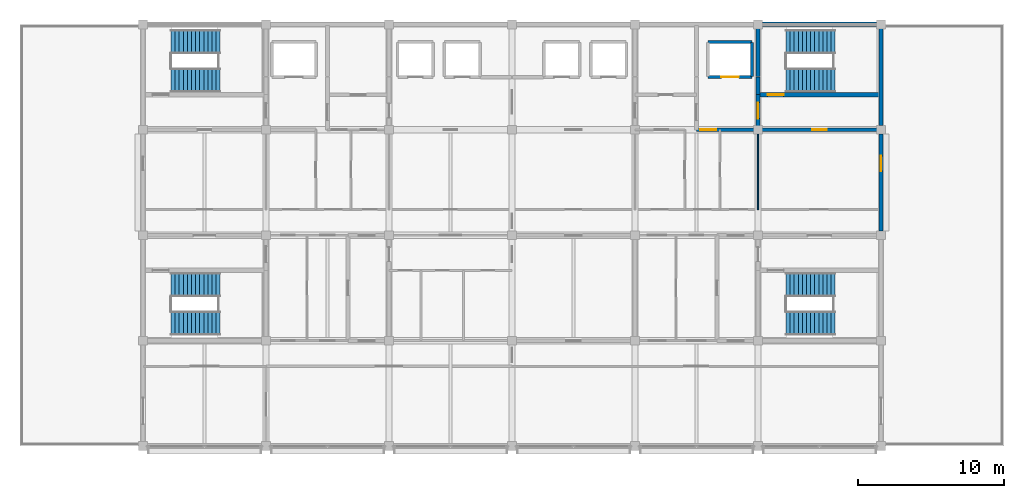
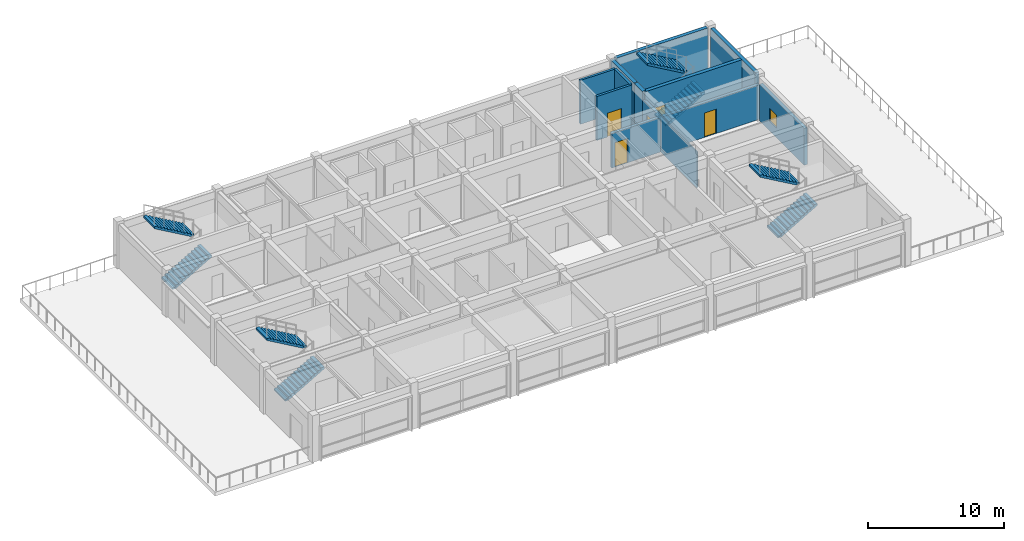
# One storey, part 11 of 13: 12 walls, 8 stair flights, 5 doors, 1 window, 6 openings, 4 elements without a shape of their own.
"""IFC4 building model written with IfcOpenShell, lengths in metres."""

from ifc_helpers import new_model, si_unit, direction, frame, frame_2d, origin, place, context, subcontext, project, spatial, polyline, rectangle, outline, extrude, material, layer, layer_set, type_object, element, fill, aggregate, save


model = new_model("IFC4")

# Units and contexts
model_context = context("Model", 3, precision=1e-05, world=origin(), true_north=direction((0.0, 1.0)))
body_context = subcontext(model_context, "Body", "Model", "MODEL_VIEW")
ifc_project = project(units=[si_unit("LENGTHUNIT", "METRE"), si_unit("AREAUNIT", "SQUARE_METRE"), si_unit("VOLUMEUNIT", "CUBIC_METRE"), si_unit("PLANEANGLEUNIT", "RADIAN"), si_unit("MASSUNIT", "GRAM", prefix="KILO")], contexts=[model_context])

# Site, building, storey
site_placement = place(None, origin())
site = spatial("IfcSite", under=ifc_project, at=site_placement, CompositionType="ELEMENT")
building_placement = place(site_placement, origin())
building = spatial("IfcBuilding", under=site, at=building_placement, Name="Chengyuan Square Courthouse", CompositionType="ELEMENT")
storey_placement = place(building_placement, frame((0.0, 0.0, 60.300048828125)))
storey = spatial("IfcBuildingStorey", under=building, at=storey_placement, Name="L14", CompositionType="ELEMENT", Elevation=60.300048828125)

# Wall, opening, window
ifc_material_1 = material(Name="Concrete C40", Category="concrete")
ifc_layer_1 = layer(ifc_material_1, 0.280029296875)
ifc_layer_set_1 = layer_set([ifc_layer_1], Name="Concrete C40")
wall_type_1 = type_object("IfcWallType", Name="WL-EW4", PredefinedType="STANDARD", material=ifc_layer_set_1)
wall_1_placement = place(storey_placement, frame((109.199951171875, 93.89501953125, 0.0), z_axis=(0.0, 0.0, 1.0), x_axis=(0.0, 1.0, 0.0)))
wall_1 = element("IfcWall", 1, at=wall_1_placement, inside=storey, type_object=wall_type_1, Name="Exterior Wall WL-L14-E519", PredefinedType="STANDARD", context=body_context, shape_type="SweptSolid", body=[
    extrude(rectangle(XDim=6.60986328125, YDim=0.280029296875, at=frame_2d((3.304931640625, 0.0))), origin(), (0.0, 0.0, 1.0), 3.31005859375),
])
opening_1_placement = place(wall_1_placement, frame((4.080078125, 0.0, 0.85009765625)))
opening_1 = element("IfcOpeningElement", 2, at=opening_1_placement, cuts=wall_1, Name="Opening WN-241", PredefinedType="OPENING", context=body_context, shape_type="SweptSolid", body=[
    extrude(rectangle(XDim=1.050048828125, YDim=1.199951171875, at=frame_2d((0.52490234375, 0.60009765625))), frame((0.0, 0.152099609375, 0.0), z_axis=(0.0, -1.0, 0.0), x_axis=(1.0, 0.0, 0.0)), (0.0, 0.0, 1.0), 0.303955078125),
])
ifc_material_2 = material(Name="Thermally Broken Aluminium Triple Low-E Window", Category="aluminium")
window_type = type_object("IfcWindowType", Name="WT-07", PartitioningType="SINGLE_PANEL", PredefinedType="WINDOW", material=ifc_material_2)
window_placement = place(opening_1_placement, origin())
window = element("IfcWindow", 3, at=window_placement, inside=storey, type_object=window_type, Name="Facade Window WN-241", OverallHeight=1.199951171875, OverallWidth=1.050048828125, PartitioningType="SINGLE_PANEL", PredefinedType="WINDOW", context=body_context, shape_type="SweptSolid", body=[
    extrude(rectangle(XDim=1.050048828125, YDim=1.199951171875, at=frame_2d((0.52490234375, 0.60009765625))), frame((0.0, 0.030029296875, 0.0), z_axis=(0.0, -1.0, 0.0), x_axis=(1.0, 0.0, 0.0)), (0.0, 0.0, 1.0), 0.06005859375),
])
fill(opening_1, window)

# Wall, openings, doors
ifc_layer_2 = layer(ifc_material_1, 0.25)
ifc_layer_set_2 = layer_set([ifc_layer_2], Name="Concrete C40")
wall_type_2 = type_object("IfcWallType", Name="WL-FW1", PredefinedType="STANDARD", material=ifc_layer_set_2)
wall_2_placement = place(storey_placement, frame((96.60009765625, 100.800048828125, 0.0), z_axis=(0.0, 0.0, 1.0), x_axis=(1.0, 0.0, 0.0)))
wall_2 = element("IfcWall", 4, at=wall_2_placement, inside=storey, type_object=wall_type_2, Name="Interior Wall WL-L14-I3925", PredefinedType="STANDARD", context=body_context, shape_type="SweptSolid", body=[
    extrude(rectangle(XDim=12.559814453125, YDim=0.25, at=frame_2d((6.27978515625, 0.0))), origin(), (0.0, 0.0, 1.0), 3.10986328125),
])
opening_2_placement = place(wall_2_placement, frame((7.89990234375, 0.0, 0.0)))
opening_2 = element("IfcOpeningElement", 5, at=opening_2_placement, cuts=wall_2, Name="Opening DR-3239", PredefinedType="OPENING", context=body_context, shape_type="SweptSolid", body=[
    extrude(rectangle(XDim=1.0, YDim=2.199951171875, at=frame_2d((0.5, 1.10009765625))), frame((0.0, 0.136962890625, 0.0), z_axis=(0.0, -1.0, 0.0), x_axis=(1.0, 0.0, 0.0)), (0.0, 0.0, 1.0), 0.27392578125),
])
opening_3_placement = place(wall_2_placement, frame((0.25, 0.0, 0.0)))
opening_3 = element("IfcOpeningElement", 6, at=opening_3_placement, cuts=wall_2, Name="Opening DR-3253", PredefinedType="OPENING", context=body_context, shape_type="SweptSolid", body=[
    extrude(rectangle(XDim=1.10009765625, YDim=2.199951171875, at=frame_2d((0.550048828125, 1.10009765625))), frame((0.0, 0.136962890625, 0.0), z_axis=(0.0, -1.0, 0.0), x_axis=(1.0, 0.0, 0.0)), (0.0, 0.0, 1.0), 0.27392578125),
])
ifc_material_3 = material(Name="Steel Q235B Fire Door", Category="steel")
door_type_1 = type_object("IfcDoorType", Name="DT-10", OperationType="NOTDEFINED", PredefinedType="DOOR", material=ifc_material_3)
door_1_placement = place(opening_3_placement, origin())
door_1 = element("IfcDoor", 7, at=door_1_placement, inside=storey, type_object=door_type_1, Name="Interior Door DR-3253", OperationType="SINGLE_SWING_RIGHT", OverallHeight=2.199951171875, OverallWidth=1.10009765625, PredefinedType="DOOR", context=body_context, shape_type="SweptSolid", body=[
    extrude(rectangle(XDim=1.10009765625, YDim=2.199951171875, at=frame_2d((0.550048828125, 1.10009765625))), frame((0.0, 0.02490234375, 0.0), z_axis=(0.0, -1.0, 0.0), x_axis=(1.0, 0.0, 0.0)), (0.0, 0.0, 1.0), 0.050048828125),
])
fill(opening_3, door_1)
door_type_2 = type_object("IfcDoorType", Name="DT-11", OperationType="NOTDEFINED", PredefinedType="DOOR", material=ifc_material_3)
door_2_placement = place(opening_2_placement, origin())
door_2 = element("IfcDoor", 8, at=door_2_placement, inside=storey, type_object=door_type_2, Name="Interior Door DR-3239", OperationType="SINGLE_SWING_RIGHT", OverallHeight=2.199951171875, OverallWidth=1.0, PredefinedType="DOOR", context=body_context, shape_type="SweptSolid", body=[
    extrude(rectangle(XDim=1.0, YDim=2.199951171875, at=frame_2d((0.5, 1.10009765625))), frame((0.0, 0.02490234375, 0.0), z_axis=(0.0, -1.0, 0.0), x_axis=(1.0, 0.0, 0.0)), (0.0, 0.0, 1.0), 0.050048828125),
])
fill(opening_2, door_2)

# Wall, opening, door
wall_3_placement = place(storey_placement, frame((100.800048828125, 100.800048828125, 0.0), z_axis=(0.0, 0.0, 1.0), x_axis=(0.0, 1.0, 0.0)))
wall_3 = element("IfcWall", 9, at=wall_3_placement, inside=storey, type_object=wall_type_2, Name="Interior Wall WL-L14-I3989", PredefinedType="STANDARD", context=body_context, shape_type="SweptSolid", body=[
    extrude(rectangle(XDim=2.39990234375, YDim=0.25, at=frame_2d((1.199951171875, 0.0))), origin(), (0.0, 0.0, 1.0), 3.2099609375),
])
opening_4_placement = place(wall_3_placement, frame((0.760009765625, 0.0, 0.0)))
opening_4 = element("IfcOpeningElement", 10, at=opening_4_placement, cuts=wall_3, Name="Opening DR-3238", PredefinedType="OPENING", context=body_context, shape_type="SweptSolid", body=[
    extrude(rectangle(XDim=1.10009765625, YDim=2.199951171875, at=frame_2d((0.550048828125, 1.10009765625))), frame((0.0, 0.136962890625, 0.0), z_axis=(0.0, -1.0, 0.0), x_axis=(1.0, 0.0, 0.0)), (0.0, 0.0, 1.0), 0.27392578125),
])
door_3_placement = place(opening_4_placement, origin())
door_3 = element("IfcDoor", 11, at=door_3_placement, inside=storey, type_object=door_type_1, Name="Interior Door DR-3238", OperationType="SINGLE_SWING_LEFT", OverallHeight=2.199951171875, OverallWidth=1.10009765625, PredefinedType="DOOR", context=body_context, shape_type="SweptSolid", body=[
    extrude(rectangle(XDim=1.10009765625, YDim=2.199951171875, at=frame_2d((0.550048828125, 1.10009765625))), frame((0.0, 0.02490234375, 0.0), z_axis=(0.0, -1.0, 0.0), x_axis=(1.0, 0.0, 0.0)), (0.0, 0.0, 1.0), 0.050048828125),
])
fill(opening_4, door_3)

# Wall
ifc_material_4 = material(Name="Gypsum Plasterboard Acoustic Stud Partition")
ifc_layer_3 = layer(ifc_material_4, 0.10009765625)
ifc_layer_set_3 = layer_set([ifc_layer_3], Name="Gypsum Plasterboard Acoustic Stud Partition")
wall_type_3 = type_object("IfcWallType", Name="WL-PT6", PredefinedType="STANDARD", material=ifc_layer_set_3)
wall_4_placement = place(storey_placement, frame((100.800048828125, 95.35009765625, 0.0), z_axis=(0.0, 0.0, 1.0), x_axis=(0.0, 1.0, 0.0)))
element("IfcWall", 12, at=wall_4_placement, inside=storey, type_object=wall_type_3, Name="Interior Wall WL-L14-I3988", PredefinedType="STANDARD", context=body_context, shape_type="SweptSolid", body=[
    extrude(rectangle(XDim=5.449951171875, YDim=0.10009765625, at=frame_2d((2.72509765625, 0.0))), origin(), (0.0, 0.0, 1.0), 3.2099609375),
])

# Wall, opening, door
ifc_material_5 = material(Name="Reinforced Masonry Shaft Enclosure", Category="masonry")
ifc_layer_4 = layer(ifc_material_5, 0.199951171875)
ifc_layer_set_4 = layer_set([ifc_layer_4], Name="Reinforced Masonry Shaft Enclosure")
wall_type_4 = type_object("IfcWallType", Name="WL-SH1", PredefinedType="STANDARD", material=ifc_layer_set_4)
wall_5_placement = place(storey_placement, frame((97.39990234375, 104.39990234375, 0.0), z_axis=(0.0, 0.0, 1.0), x_axis=(1.0, 0.0, 0.0)))
wall_5 = element("IfcWall", 13, at=wall_5_placement, inside=storey, type_object=wall_type_4, Name="Interior Wall WL-L14-I3937", PredefinedType="STANDARD", context=body_context, shape_type="SweptSolid", body=[
    extrude(rectangle(XDim=3.0, YDim=0.199951171875, at=frame_2d((1.5, 0.0))), origin(), (0.0, 0.0, 1.0), 3.9599609375),
])
opening_5_placement = place(wall_5_placement, frame((0.89990234375, 0.0, 0.0)))
opening_5 = element("IfcOpeningElement", 14, at=opening_5_placement, cuts=wall_5, Name="Opening LD-200", PredefinedType="OPENING", context=body_context, shape_type="SweptSolid", body=[
    extrude(rectangle(XDim=1.199951171875, YDim=2.14990234375, at=frame_2d((0.60009765625, 1.074951171875))), frame((0.0, 0.112060546875, 0.0), z_axis=(0.0, -1.0, 0.0), x_axis=(1.0, 0.0, 0.0)), (0.0, 0.0, 1.0), 0.223876953125),
])
ifc_material_6 = material(Name="Stainless Steel S30408 Lift Landing Door", Category="steel")
door_type_3 = type_object("IfcDoorType", Name="DT-05", OperationType="DOUBLE_DOOR_SLIDING", PredefinedType="DOOR", material=ifc_material_6)
door_4_placement = place(opening_5_placement, origin())
door_4 = element("IfcDoor", 15, at=door_4_placement, inside=storey, type_object=door_type_3, Name="Lift Landing Door LF-F2 L14", OperationType="DOUBLE_DOOR_SLIDING", OverallHeight=2.14990234375, OverallWidth=1.199951171875, PredefinedType="DOOR", context=body_context, shape_type="SweptSolid", body=[
    extrude(rectangle(XDim=1.199951171875, YDim=2.14990234375, at=frame_2d((0.60009765625, 1.074951171875))), frame((0.0, 0.02490234375, 0.0), z_axis=(0.0, -1.0, 0.0), x_axis=(1.0, 0.0, 0.0)), (0.0, 0.0, 1.0), 0.050048828125),
])
fill(opening_5, door_4)

# Walls
wall_6_placement = place(storey_placement, frame((97.39990234375, 106.800048828125, 0.0), z_axis=(0.0, 0.0, 1.0), x_axis=(1.0, 0.0, 0.0)))
element("IfcWall", 16, at=wall_6_placement, inside=storey, type_object=wall_type_4, Name="Interior Wall WL-L14-I3943", PredefinedType="STANDARD", context=body_context, shape_type="SweptSolid", body=[
    extrude(rectangle(XDim=3.0, YDim=0.199951171875, at=frame_2d((1.5, 0.0))), origin(), (0.0, 0.0, 1.0), 3.9599609375),
])
wall_7_placement = place(storey_placement, frame((100.39990234375, 104.449951171875, 0.0), z_axis=(0.0, 0.0, 1.0), x_axis=(0.0, 1.0, 0.0)))
element("IfcWall", 17, at=wall_7_placement, inside=storey, type_object=wall_type_4, Name="Interior Wall WL-L14-I3985", PredefinedType="STANDARD", context=body_context, shape_type="SweptSolid", body=[
    extrude(rectangle(XDim=2.300048828125, YDim=0.199951171875, at=frame_2d((1.14990234375, 0.0))), origin(), (0.0, 0.0, 1.0), 3.9599609375),
])
ifc_layer_5 = layer(ifc_material_1, 0.300048828125)
ifc_layer_set_5 = layer_set([ifc_layer_5], Name="Concrete C40")
wall_type_5 = type_object("IfcWallType", Name="WL-SW2", PredefinedType="SHEAR", material=ifc_layer_set_5)
wall_8_placement = place(storey_placement, frame((101.094970703125, 108.0, 0.0), z_axis=(0.0, 0.0, 1.0), x_axis=(1.0, 0.0, 0.0)))
element("IfcWall", 18, at=wall_8_placement, inside=storey, type_object=wall_type_5, Name="Exterior Wall WL-L14-E520", PredefinedType="SHEAR", context=body_context, shape_type="SweptSolid", body=[
    extrude(rectangle(XDim=7.81005859375, YDim=0.300048828125, at=frame_2d((3.905029296875, 0.0))), origin(), (0.0, 0.0, 1.0), 3.9599609375),
])
wall_9_placement = place(storey_placement, frame((109.199951171875, 101.094970703125, 0.0), z_axis=(0.0, 0.0, 1.0), x_axis=(0.0, 1.0, 0.0)))
element("IfcWall", 19, at=wall_9_placement, inside=storey, type_object=wall_type_5, Name="Exterior Wall WL-L14-E521", PredefinedType="SHEAR", context=body_context, shape_type="SweptSolid", body=[
    extrude(rectangle(XDim=6.610107421875, YDim=0.300048828125, at=frame_2d((3.30517578125, 0.0))), origin(), (0.0, 0.0, 1.0), 3.9599609375),
])

# Wall, opening, door
wall_10_placement = place(storey_placement, frame((100.800048828125, 103.199951171875, 0.0), z_axis=(0.0, 0.0, 1.0), x_axis=(1.0, 0.0, 0.0)))
wall_10 = element("IfcWall", 20, at=wall_10_placement, inside=storey, type_object=wall_type_5, Name="Interior Wall WL-L14-I3929", PredefinedType="SHEAR", context=body_context, shape_type="SweptSolid", body=[
    extrude(rectangle(XDim=8.35986328125, YDim=0.300048828125, at=frame_2d((4.179931640625, 0.0))), origin(), (0.0, 0.0, 1.0), 3.9599609375),
])
opening_6_placement = place(wall_10_placement, frame((0.64990234375, 0.0, 0.0)))
opening_6 = element("IfcOpeningElement", 21, at=opening_6_placement, cuts=wall_10, Name="Opening DR-3233", PredefinedType="OPENING", context=body_context, shape_type="SweptSolid", body=[
    extrude(rectangle(XDim=1.10009765625, YDim=2.199951171875, at=frame_2d((0.550048828125, 1.10009765625))), frame((0.0, 0.162109375, 0.0), z_axis=(0.0, -1.0, 0.0), x_axis=(1.0, 0.0, 0.0)), (0.0, 0.0, 1.0), 0.323974609375),
])
door_5_placement = place(opening_6_placement, origin())
door_5 = element("IfcDoor", 22, at=door_5_placement, inside=storey, type_object=door_type_1, Name="Smoke-Proof Stairwell Fire Door ST-2 DR-3233", OperationType="SINGLE_SWING_RIGHT", OverallHeight=2.199951171875, OverallWidth=1.10009765625, PredefinedType="DOOR", context=body_context, shape_type="SweptSolid", body=[
    extrude(rectangle(XDim=1.10009765625, YDim=2.199951171875, at=frame_2d((0.550048828125, 1.10009765625))), frame((0.0, 0.02490234375, 0.0), z_axis=(0.0, -1.0, 0.0), x_axis=(1.0, 0.0, 0.0)), (0.0, 0.0, 1.0), 0.050048828125),
])
fill(opening_6, door_5)

# Walls
wall_11_placement = place(storey_placement, frame((100.800048828125, 103.199951171875, 0.0), z_axis=(0.0, 0.0, 1.0), x_axis=(0.0, 1.0, 0.0)))
element("IfcWall", 23, at=wall_11_placement, inside=storey, type_object=wall_type_5, Name="Interior Wall WL-L14-I3990", PredefinedType="SHEAR", context=body_context, shape_type="SweptSolid", body=[
    extrude(rectangle(XDim=1.199951171875, YDim=0.300048828125, at=frame_2d((0.60009765625, 0.0))), origin(), (0.0, 0.0, 1.0), 3.9599609375),
])
wall_12_placement = place(storey_placement, frame((100.800048828125, 104.449951171875, 0.0), z_axis=(0.0, 0.0, 1.0), x_axis=(0.0, 1.0, 0.0)))
element("IfcWall", 24, at=wall_12_placement, inside=storey, type_object=wall_type_5, Name="Interior Wall WL-L14-I3991", PredefinedType="SHEAR", context=body_context, shape_type="SweptSolid", body=[
    extrude(rectangle(XDim=3.4599609375, YDim=0.300048828125, at=frame_2d((1.72998046875, 0.0))), origin(), (0.0, 0.0, 1.0), 3.9599609375),
])

# Stair, stair flights
stair_type_1 = type_object("IfcStairType", Name="ST-TYPE-01", PredefinedType="HALF_TURN_STAIR", material=ifc_material_1)
stair_1_placement = place(storey_placement, origin())
stair_1 = element("IfcStair", 25, at=stair_1_placement, inside=storey, type_object=stair_type_1, Name="Smoke-Proof Exit Stair ST-1 (L14 to L15)", PredefinedType="HALF_TURN_STAIR")
stair_flight_type_1 = type_object("IfcStairFlightType", Name="STF-TYPE-01", PredefinedType="STRAIGHT", material=ifc_material_1)
stair_flight_1_placement = place(storey_placement, frame((60.7099609375, 104.175048828125, 0.0), z_axis=(0.0, 0.0, 1.0), x_axis=(1.0, 0.0, 0.0)))
stair_flight_1 = element("IfcStairFlight", 26, at=stair_flight_1_placement, type_object=stair_flight_type_1, Name="ST-1 flight 1", NumberOfRisers=13, NumberOfTreads=12, PredefinedType="STRAIGHT", RiserHeight=0.161538462, TreadLength=0.28, context=body_context, shape_type="SweptSolid", body=[
    extrude(outline(polyline([(0.0, 0.0), (0.0, 0.16162109375), (0.280029296875, 0.16162109375), (0.280029296875, 0.322998046875), (0.56005859375, 0.322998046875), (0.56005859375, 0.484619140625), (0.840087890625, 0.484619140625), (0.840087890625, 0.646240234375), (1.1201171875, 0.646240234375), (1.1201171875, 0.8076171875), (1.39990234375, 0.8076171875), (1.39990234375, 0.96923828125), (1.679931640625, 0.96923828125), (1.679931640625, 1.130859375), (1.9599609375, 1.130859375), (1.9599609375, 1.292236328125), (2.239990234375, 1.292236328125), (2.239990234375, 1.453857421875), (2.52001953125, 1.453857421875), (2.52001953125, 1.615478515625), (2.800048828125, 1.615478515625), (2.800048828125, 1.77685546875), (3.080078125, 1.77685546875), (3.080078125, 1.9384765625), (3.360107421875, 1.9384765625), (3.360107421875, 2.10009765625), (3.360107421875, 1.765380859375), (0.300048828125, 0.0), (0.0, 0.0)])), frame((0.0, 0.824951171875, 0.0), z_axis=(0.0, -1.0, 0.0), x_axis=(1.0, 0.0, 0.0)), (0.0, 0.0, 1.0), 1.64990234375),
])
stair_flight_2_placement = place(storey_placement, frame((64.070068359375, 106.824951171875, 2.099853515625), z_axis=(0.0, 0.0, 1.0), x_axis=(-1.0, 0.0, 0.0)))
stair_flight_2 = element("IfcStairFlight", 27, at=stair_flight_2_placement, type_object=stair_flight_type_1, Name="ST-1 flight 2", NumberOfRisers=13, NumberOfTreads=12, PredefinedType="STRAIGHT", RiserHeight=0.161538462, TreadLength=0.28, context=body_context, shape_type="SweptSolid", body=[
    extrude(outline(polyline([(0.0, 0.0), (0.0, 0.16162109375), (0.280029296875, 0.16162109375), (0.280029296875, 0.322998046875), (0.56005859375, 0.322998046875), (0.56005859375, 0.484619140625), (0.840087890625, 0.484619140625), (0.840087890625, 0.646240234375), (1.1201171875, 0.646240234375), (1.1201171875, 0.8076171875), (1.39990234375, 0.8076171875), (1.39990234375, 0.96923828125), (1.679931640625, 0.96923828125), (1.679931640625, 1.130859375), (1.9599609375, 1.130859375), (1.9599609375, 1.292236328125), (2.239990234375, 1.292236328125), (2.239990234375, 1.453857421875), (2.52001953125, 1.453857421875), (2.52001953125, 1.615478515625), (2.800048828125, 1.615478515625), (2.800048828125, 1.77685546875), (3.080078125, 1.77685546875), (3.080078125, 1.9384765625), (3.360107421875, 1.9384765625), (3.360107421875, 2.10009765625), (3.360107421875, 1.765380859375), (0.300048828125, 0.0), (0.0, 0.0)])), frame((0.0, 0.824951171875, 0.0), z_axis=(0.0, -1.0, 0.0), x_axis=(1.0, 0.0, 0.0)), (0.0, 0.0, 1.0), 1.64990234375),
])
aggregate(stair_1, [stair_flight_1, stair_flight_2])

stair_type_2 = type_object("IfcStairType", Name="ST-TYPE-02", PredefinedType="HALF_TURN_STAIR", material=ifc_material_1)
stair_2_placement = place(storey_placement, origin())
stair_2 = element("IfcStair", 28, at=stair_2_placement, inside=storey, type_object=stair_type_2, Name="Smoke-Proof Exit Stair ST-2 (L14 to L15)", PredefinedType="HALF_TURN_STAIR")
stair_flight_type_2 = type_object("IfcStairFlightType", Name="STF-TYPE-02", PredefinedType="STRAIGHT", material=ifc_material_1)
stair_flight_3_placement = place(storey_placement, frame((102.7099609375, 104.175048828125, 0.0), z_axis=(0.0, 0.0, 1.0), x_axis=(1.0, 0.0, 0.0)))
stair_flight_3 = element("IfcStairFlight", 29, at=stair_flight_3_placement, type_object=stair_flight_type_2, Name="ST-2 flight 1", NumberOfRisers=13, NumberOfTreads=12, PredefinedType="STRAIGHT", RiserHeight=0.161538462, TreadLength=0.28, context=body_context, shape_type="SweptSolid", body=[
    extrude(outline(polyline([(0.0, 0.0), (0.0, 0.16162109375), (0.280029296875, 0.16162109375), (0.280029296875, 0.322998046875), (0.56005859375, 0.322998046875), (0.56005859375, 0.484619140625), (0.840087890625, 0.484619140625), (0.840087890625, 0.646240234375), (1.1201171875, 0.646240234375), (1.1201171875, 0.8076171875), (1.39990234375, 0.8076171875), (1.39990234375, 0.96923828125), (1.679931640625, 0.96923828125), (1.679931640625, 1.130859375), (1.9599609375, 1.130859375), (1.9599609375, 1.292236328125), (2.239990234375, 1.292236328125), (2.239990234375, 1.453857421875), (2.52001953125, 1.453857421875), (2.52001953125, 1.615478515625), (2.800048828125, 1.615478515625), (2.800048828125, 1.77685546875), (3.080078125, 1.77685546875), (3.080078125, 1.9384765625), (3.360107421875, 1.9384765625), (3.360107421875, 2.10009765625), (3.360107421875, 1.765380859375), (0.300048828125, 0.0), (0.0, 0.0)])), frame((0.0, 0.824951171875, 0.0), z_axis=(0.0, -1.0, 0.0), x_axis=(1.0, 0.0, 0.0)), (0.0, 0.0, 1.0), 1.64990234375),
])
stair_flight_4_placement = place(storey_placement, frame((106.070068359375, 106.824951171875, 2.099853515625), z_axis=(0.0, 0.0, 1.0), x_axis=(-1.0, 0.0, 0.0)))
stair_flight_4 = element("IfcStairFlight", 30, at=stair_flight_4_placement, type_object=stair_flight_type_2, Name="ST-2 flight 2", NumberOfRisers=13, NumberOfTreads=12, PredefinedType="STRAIGHT", RiserHeight=0.161538462, TreadLength=0.28, context=body_context, shape_type="SweptSolid", body=[
    extrude(outline(polyline([(0.0, 0.0), (0.0, 0.16162109375), (0.280029296875, 0.16162109375), (0.280029296875, 0.322998046875), (0.56005859375, 0.322998046875), (0.56005859375, 0.484619140625), (0.840087890625, 0.484619140625), (0.840087890625, 0.646240234375), (1.1201171875, 0.646240234375), (1.1201171875, 0.8076171875), (1.39990234375, 0.8076171875), (1.39990234375, 0.96923828125), (1.679931640625, 0.96923828125), (1.679931640625, 1.130859375), (1.9599609375, 1.130859375), (1.9599609375, 1.292236328125), (2.239990234375, 1.292236328125), (2.239990234375, 1.453857421875), (2.52001953125, 1.453857421875), (2.52001953125, 1.615478515625), (2.800048828125, 1.615478515625), (2.800048828125, 1.77685546875), (3.080078125, 1.77685546875), (3.080078125, 1.9384765625), (3.360107421875, 1.9384765625), (3.360107421875, 2.10009765625), (3.360107421875, 1.765380859375), (0.300048828125, 0.0), (0.0, 0.0)])), frame((0.0, 0.824951171875, 0.0), z_axis=(0.0, -1.0, 0.0), x_axis=(1.0, 0.0, 0.0)), (0.0, 0.0, 1.0), 1.64990234375),
])
aggregate(stair_2, [stair_flight_3, stair_flight_4])

stair_type_3 = type_object("IfcStairType", Name="ST-TYPE-03", PredefinedType="HALF_TURN_STAIR", material=ifc_material_1)
stair_3_placement = place(storey_placement, origin())
stair_3 = element("IfcStair", 31, at=stair_3_placement, inside=storey, type_object=stair_type_3, Name="Smoke-Proof Exit Stair ST-3 (L14 to L15)", PredefinedType="HALF_TURN_STAIR")
stair_flight_type_3 = type_object("IfcStairFlightType", Name="STF-TYPE-03", PredefinedType="STRAIGHT", material=ifc_material_1)
stair_flight_5_placement = place(storey_placement, frame((60.7099609375, 87.574951171875, 0.0), z_axis=(0.0, 0.0, 1.0), x_axis=(1.0, 0.0, 0.0)))
stair_flight_5 = element("IfcStairFlight", 32, at=stair_flight_5_placement, type_object=stair_flight_type_3, Name="ST-3 flight 1", NumberOfRisers=13, NumberOfTreads=12, PredefinedType="STRAIGHT", RiserHeight=0.161538462, TreadLength=0.28, context=body_context, shape_type="SweptSolid", body=[
    extrude(outline(polyline([(0.0, 0.0), (0.0, 0.16162109375), (0.280029296875, 0.16162109375), (0.280029296875, 0.322998046875), (0.56005859375, 0.322998046875), (0.56005859375, 0.484619140625), (0.840087890625, 0.484619140625), (0.840087890625, 0.646240234375), (1.1201171875, 0.646240234375), (1.1201171875, 0.8076171875), (1.39990234375, 0.8076171875), (1.39990234375, 0.96923828125), (1.679931640625, 0.96923828125), (1.679931640625, 1.130859375), (1.9599609375, 1.130859375), (1.9599609375, 1.292236328125), (2.239990234375, 1.292236328125), (2.239990234375, 1.453857421875), (2.52001953125, 1.453857421875), (2.52001953125, 1.615478515625), (2.800048828125, 1.615478515625), (2.800048828125, 1.77685546875), (3.080078125, 1.77685546875), (3.080078125, 1.9384765625), (3.360107421875, 1.9384765625), (3.360107421875, 2.10009765625), (3.360107421875, 1.765380859375), (0.300048828125, 0.0), (0.0, 0.0)])), frame((0.0, 0.824951171875, 0.0), z_axis=(0.0, -1.0, 0.0), x_axis=(1.0, 0.0, 0.0)), (0.0, 0.0, 1.0), 1.64990234375),
])
stair_flight_6_placement = place(storey_placement, frame((64.070068359375, 90.22509765625, 2.099853515625), z_axis=(0.0, 0.0, 1.0), x_axis=(-1.0, 0.0, 0.0)))
stair_flight_6 = element("IfcStairFlight", 33, at=stair_flight_6_placement, type_object=stair_flight_type_3, Name="ST-3 flight 2", NumberOfRisers=13, NumberOfTreads=12, PredefinedType="STRAIGHT", RiserHeight=0.161538462, TreadLength=0.28, context=body_context, shape_type="SweptSolid", body=[
    extrude(outline(polyline([(0.0, 0.0), (0.0, 0.16162109375), (0.280029296875, 0.16162109375), (0.280029296875, 0.322998046875), (0.56005859375, 0.322998046875), (0.56005859375, 0.484619140625), (0.840087890625, 0.484619140625), (0.840087890625, 0.646240234375), (1.1201171875, 0.646240234375), (1.1201171875, 0.8076171875), (1.39990234375, 0.8076171875), (1.39990234375, 0.96923828125), (1.679931640625, 0.96923828125), (1.679931640625, 1.130859375), (1.9599609375, 1.130859375), (1.9599609375, 1.292236328125), (2.239990234375, 1.292236328125), (2.239990234375, 1.453857421875), (2.52001953125, 1.453857421875), (2.52001953125, 1.615478515625), (2.800048828125, 1.615478515625), (2.800048828125, 1.77685546875), (3.080078125, 1.77685546875), (3.080078125, 1.9384765625), (3.360107421875, 1.9384765625), (3.360107421875, 2.10009765625), (3.360107421875, 1.765380859375), (0.300048828125, 0.0), (0.0, 0.0)])), frame((0.0, 0.824951171875, 0.0), z_axis=(0.0, -1.0, 0.0), x_axis=(1.0, 0.0, 0.0)), (0.0, 0.0, 1.0), 1.64990234375),
])
aggregate(stair_3, [stair_flight_5, stair_flight_6])

stair_type_4 = type_object("IfcStairType", Name="ST-TYPE-04", PredefinedType="HALF_TURN_STAIR", material=ifc_material_1)
stair_4_placement = place(storey_placement, origin())
stair_4 = element("IfcStair", 34, at=stair_4_placement, inside=storey, type_object=stair_type_4, Name="Smoke-Proof Exit Stair ST-4 (L14 to L15)", PredefinedType="HALF_TURN_STAIR")
stair_flight_type_4 = type_object("IfcStairFlightType", Name="STF-TYPE-04", PredefinedType="STRAIGHT", material=ifc_material_1)
stair_flight_7_placement = place(storey_placement, frame((102.7099609375, 87.574951171875, 0.0), z_axis=(0.0, 0.0, 1.0), x_axis=(1.0, 0.0, 0.0)))
stair_flight_7 = element("IfcStairFlight", 35, at=stair_flight_7_placement, type_object=stair_flight_type_4, Name="ST-4 flight 1", NumberOfRisers=13, NumberOfTreads=12, PredefinedType="STRAIGHT", RiserHeight=0.161538462, TreadLength=0.28, context=body_context, shape_type="SweptSolid", body=[
    extrude(outline(polyline([(0.0, 0.0), (0.0, 0.16162109375), (0.280029296875, 0.16162109375), (0.280029296875, 0.322998046875), (0.56005859375, 0.322998046875), (0.56005859375, 0.484619140625), (0.840087890625, 0.484619140625), (0.840087890625, 0.646240234375), (1.1201171875, 0.646240234375), (1.1201171875, 0.8076171875), (1.39990234375, 0.8076171875), (1.39990234375, 0.96923828125), (1.679931640625, 0.96923828125), (1.679931640625, 1.130859375), (1.9599609375, 1.130859375), (1.9599609375, 1.292236328125), (2.239990234375, 1.292236328125), (2.239990234375, 1.453857421875), (2.52001953125, 1.453857421875), (2.52001953125, 1.615478515625), (2.800048828125, 1.615478515625), (2.800048828125, 1.77685546875), (3.080078125, 1.77685546875), (3.080078125, 1.9384765625), (3.360107421875, 1.9384765625), (3.360107421875, 2.10009765625), (3.360107421875, 1.765380859375), (0.300048828125, 0.0), (0.0, 0.0)])), frame((0.0, 0.824951171875, 0.0), z_axis=(0.0, -1.0, 0.0), x_axis=(1.0, 0.0, 0.0)), (0.0, 0.0, 1.0), 1.64990234375),
])
stair_flight_8_placement = place(storey_placement, frame((106.070068359375, 90.22509765625, 2.099853515625), z_axis=(0.0, 0.0, 1.0), x_axis=(-1.0, 0.0, 0.0)))
stair_flight_8 = element("IfcStairFlight", 36, at=stair_flight_8_placement, type_object=stair_flight_type_4, Name="ST-4 flight 2", NumberOfRisers=13, NumberOfTreads=12, PredefinedType="STRAIGHT", RiserHeight=0.161538462, TreadLength=0.28, context=body_context, shape_type="SweptSolid", body=[
    extrude(outline(polyline([(0.0, 0.0), (0.0, 0.16162109375), (0.280029296875, 0.16162109375), (0.280029296875, 0.322998046875), (0.56005859375, 0.322998046875), (0.56005859375, 0.484619140625), (0.840087890625, 0.484619140625), (0.840087890625, 0.646240234375), (1.1201171875, 0.646240234375), (1.1201171875, 0.8076171875), (1.39990234375, 0.8076171875), (1.39990234375, 0.96923828125), (1.679931640625, 0.96923828125), (1.679931640625, 1.130859375), (1.9599609375, 1.130859375), (1.9599609375, 1.292236328125), (2.239990234375, 1.292236328125), (2.239990234375, 1.453857421875), (2.52001953125, 1.453857421875), (2.52001953125, 1.615478515625), (2.800048828125, 1.615478515625), (2.800048828125, 1.77685546875), (3.080078125, 1.77685546875), (3.080078125, 1.9384765625), (3.360107421875, 1.9384765625), (3.360107421875, 2.10009765625), (3.360107421875, 1.765380859375), (0.300048828125, 0.0), (0.0, 0.0)])), frame((0.0, 0.824951171875, 0.0), z_axis=(0.0, -1.0, 0.0), x_axis=(1.0, 0.0, 0.0)), (0.0, 0.0, 1.0), 1.64990234375),
])
aggregate(stair_4, [stair_flight_7, stair_flight_8])

save(model, "model.ifc")
